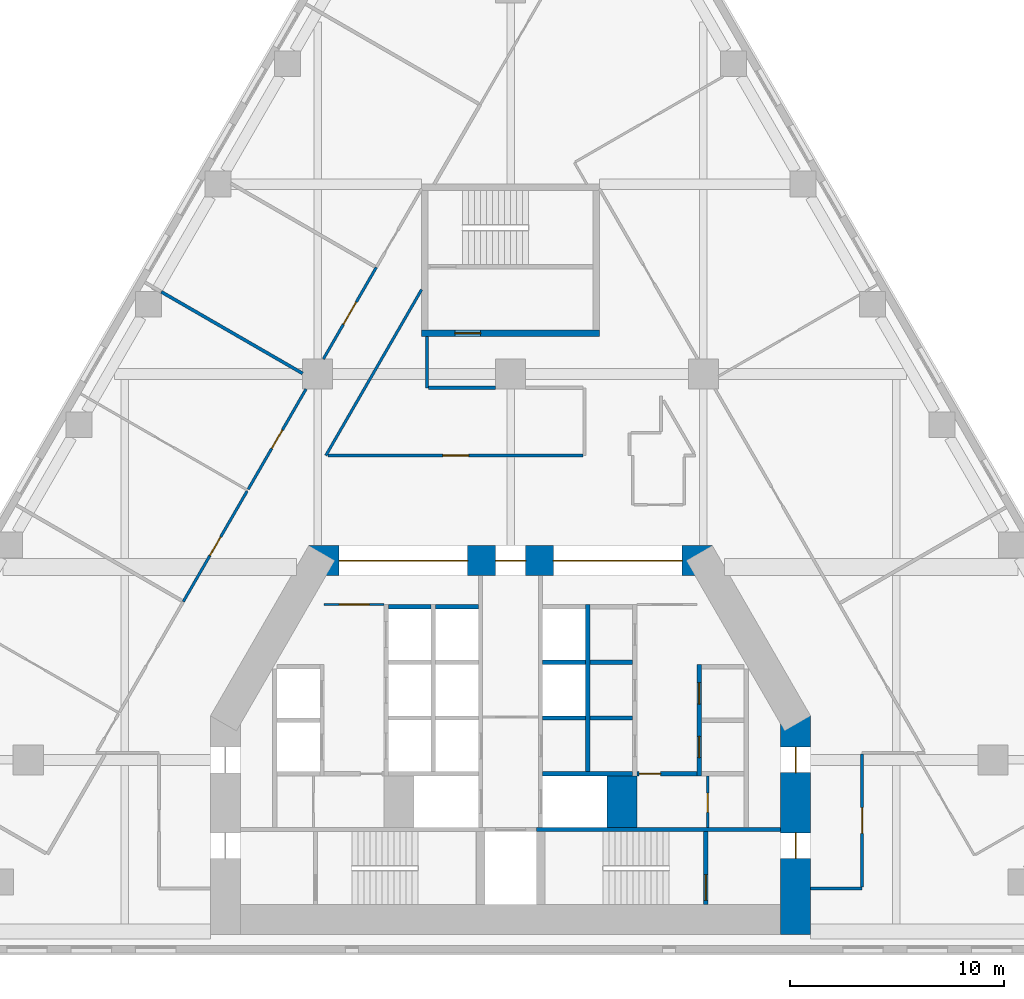
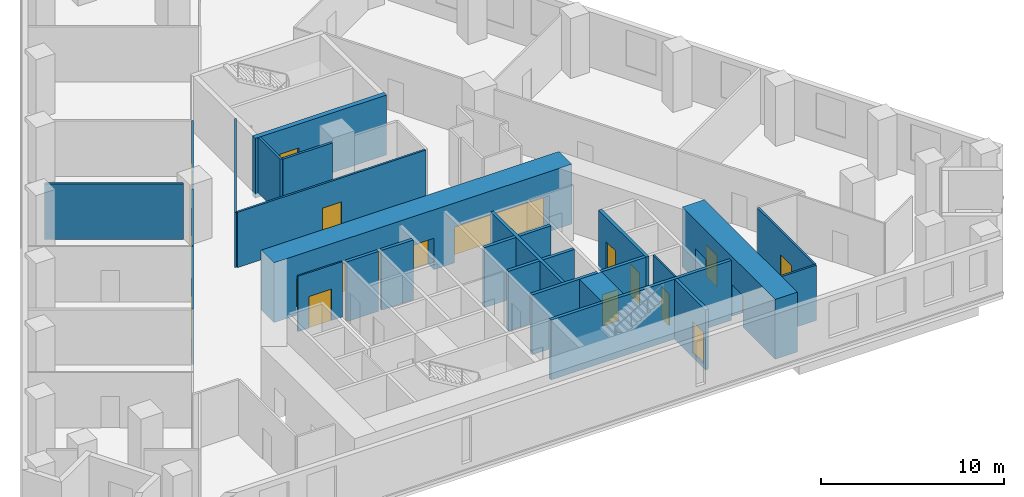
# One storey, part 5 of 9: 28 walls, 17 doors, 17 openings.
"""IFC4 building model written with IfcOpenShell, lengths in metres."""

from ifc_helpers import new_model, si_unit, direction, frame, frame_2d, origin, place, context, subcontext, project, spatial, rectangle, extrude, material, layer, layer_set, type_object, element, fill, save


model = new_model("IFC4")

# Units and contexts
model_context = context("Model", 3, precision=1e-05, world=origin(), true_north=direction((0.0, 1.0)))
body_context = subcontext(model_context, "Body", "Model", "MODEL_VIEW")
ifc_project = project(units=[si_unit("LENGTHUNIT", "METRE"), si_unit("AREAUNIT", "SQUARE_METRE"), si_unit("VOLUMEUNIT", "CUBIC_METRE"), si_unit("PLANEANGLEUNIT", "RADIAN"), si_unit("MASSUNIT", "GRAM", prefix="KILO")], contexts=[model_context])

# Site, building, storey
site_placement = place(None, origin())
site = spatial("IfcSite", under=ifc_project, at=site_placement, CompositionType="ELEMENT")
building_placement = place(site_placement, origin())
building = spatial("IfcBuilding", under=site, at=building_placement, Name="Fogline Exchange Tower", CompositionType="ELEMENT")
storey_placement = place(building_placement, frame((0.0, 0.0, 76.89990234375)))
storey = spatial("IfcBuildingStorey", under=building, at=storey_placement, Name="L16", CompositionType="ELEMENT", Elevation=76.89990234375)

# Wall, opening, door
ifc_material_1 = material(Name="Blockwork partition", Category="masonry")
ifc_layer_1 = layer(ifc_material_1, 0.10009765625)
ifc_layer_set_1 = layer_set([ifc_layer_1], Name="CW10")
wall_type_1 = type_object("IfcWallType", Name="CW10", PredefinedType="PARTITIONING", material=ifc_layer_set_1)
wall_1_placement = place(storey_placement, frame((-8.699951171875, 16.25, 0.0), z_axis=(0.0, 0.0, 1.0), x_axis=(1.0, 0.0, 0.0)))
wall_1 = element("IfcWall", 1, at=wall_1_placement, inside=storey, type_object=wall_type_1, Name="Lift lobby partition", PredefinedType="PARTITIONING", context=body_context, shape_type="SweptSolid", body=[
    extrude(rectangle(XDim=2.800048828125, YDim=0.10009765625, at=frame_2d((1.39990234375, 0.0))), origin(), (0.0, 0.0, 1.0), 3.7001953125),
])
opening_1_placement = place(wall_1_placement, frame((0.699951171875, 0.0, 0.0)))
opening_1 = element("IfcOpeningElement", 2, at=opening_1_placement, cuts=wall_1, Name="Opening T05-C007", PredefinedType="OPENING", context=body_context, shape_type="SweptSolid", body=[
    extrude(rectangle(XDim=1.39990234375, YDim=2.10009765625, at=frame_2d((0.699951171875, 1.050048828125))), frame((0.0, 0.06005859375, 0.0), z_axis=(0.0, -1.0, 0.0), x_axis=(1.0, 0.0, 0.0)), (0.0, 0.0, 1.0), 0.1201171875),
])
ifc_material_2 = material(Name="Steel and timber fire door", Category="steel")
door_type_1 = type_object("IfcDoorType", Name="D-LB1", OperationType="DOUBLE_DOOR_SINGLE_SWING", PredefinedType="DOOR", material=ifc_material_2)
door_1_placement = place(opening_1_placement, origin())
door_1 = element("IfcDoor", 3, at=door_1_placement, inside=storey, type_object=door_type_1, Name="Door to lift lobby", OperationType="DOUBLE_DOOR_SINGLE_SWING", OverallHeight=2.10009765625, OverallWidth=1.39990234375, PredefinedType="DOOR", context=body_context, shape_type="SweptSolid", body=[
    extrude(rectangle(XDim=1.39990234375, YDim=2.10009765625, at=frame_2d((0.699951171875, 1.050048828125))), frame((0.0, 0.02490234375, 0.0), z_axis=(0.0, -1.0, 0.0), x_axis=(1.0, 0.0, 0.0)), (0.0, 0.0, 1.0), 0.050048828125),
])
fill(opening_1, door_1)

wall_2_placement = place(storey_placement, frame((9.199951171875, 5.85009765625, 0.0), z_axis=(0.0, 0.0, 1.0), x_axis=(0.0, 1.0, 0.0)))
wall_2 = element("IfcWall", 4, at=wall_2_placement, inside=storey, type_object=wall_type_1, Name="WC partition", PredefinedType="PARTITIONING", context=body_context, shape_type="SweptSolid", body=[
    extrude(rectangle(XDim=2.39990234375, YDim=0.10009765625, at=frame_2d((1.199951171875, 0.0))), origin(), (0.0, 0.0, 1.0), 3.7001953125),
])
opening_2_placement = place(wall_2_placement, frame((0.699951171875, 0.0, 0.0)))
opening_2 = element("IfcOpeningElement", 5, at=opening_2_placement, cuts=wall_2, Name="Opening T05-C015", PredefinedType="OPENING", context=body_context, shape_type="SweptSolid", body=[
    extrude(rectangle(XDim=0.89990234375, YDim=2.10009765625, at=frame_2d((0.449951171875, 1.050048828125))), frame((0.0, 0.06005859375, 0.0), z_axis=(0.0, -1.0, 0.0), x_axis=(1.0, 0.0, 0.0)), (0.0, 0.0, 1.0), 0.1201171875),
])
door_type_2 = type_object("IfcDoorType", Name="D-CS1", OperationType="SINGLE_SWING_RIGHT", PredefinedType="DOOR", material=ifc_material_2)
door_2_placement = place(opening_2_placement, frame((0.89990234375, 0.0, 0.0), z_axis=(0.0, 0.0, 1.0), x_axis=(-1.0, 0.0, 0.0)))
door_2 = element("IfcDoor", 6, at=door_2_placement, inside=storey, type_object=door_type_2, Name="Door to Cleaner's Store", OperationType="SINGLE_SWING_RIGHT", OverallHeight=2.10009765625, OverallWidth=0.89990234375, PredefinedType="DOOR", context=body_context, shape_type="SweptSolid", body=[
    extrude(rectangle(XDim=0.89990234375, YDim=2.10009765625, at=frame_2d((0.449951171875, 1.050048828125))), frame((0.0, 0.02490234375, 0.0), z_axis=(0.0, -1.0, 0.0), x_axis=(1.0, 0.0, 0.0)), (0.0, 0.0, 1.0), 0.050048828125),
])
fill(opening_2, door_2)

# Wall
ifc_material_3 = material(Name="Concrete C60", Category="concrete")
ifc_layer_2 = layer(ifc_material_3, 1.39990234375)
ifc_layer_set_2 = layer_set([ifc_layer_2], Name="CW140")
wall_type_2 = type_object("IfcWallType", Name="CW140", PredefinedType="SOLIDWALL", material=ifc_layer_set_2)
wall_3_placement = place(storey_placement, frame((5.199951171875, 5.85009765625, -0.2998046875), z_axis=(0.0, 0.0, 1.0), x_axis=(0.0, 1.0, 0.0)))
element("IfcWall", 7, at=wall_3_placement, inside=storey, type_object=wall_type_2, Name="Lift shaft block wall", PredefinedType="SOLIDWALL", context=body_context, shape_type="SweptSolid", body=[
    extrude(rectangle(XDim=2.39990234375, YDim=1.39990234375, at=frame_2d((1.199951171875, 0.0))), origin(), (0.0, 0.0, 1.0), 4.0),
])

# Wall, opening, door
ifc_material_4 = material(Name="Concrete C40", Category="concrete")
ifc_layer_3 = layer(ifc_material_4, 0.199951171875)
ifc_layer_set_3 = layer_set([ifc_layer_3], Name="CW20")
wall_type_3 = type_object("IfcWallType", Name="CW20", PredefinedType="SOLIDWALL", material=ifc_layer_set_3)
wall_4_placement = place(storey_placement, frame((5.89990234375, 8.35009765625, 0.0), z_axis=(0.0, 0.0, 1.0), x_axis=(1.0, 0.0, 0.0)))
wall_4 = element("IfcWall", 8, at=wall_4_placement, inside=storey, type_object=wall_type_3, Name="WC wall", PredefinedType="SOLIDWALL", context=body_context, shape_type="SweptSolid", body=[
    extrude(rectangle(XDim=2.800048828125, YDim=0.199951171875, at=frame_2d((1.39990234375, 0.0))), origin(), (0.0, 0.0, 1.0), 3.7001953125),
])
opening_3_placement = place(wall_4_placement, frame((0.10009765625, 0.0, 0.0)))
opening_3 = element("IfcOpeningElement", 9, at=opening_3_placement, cuts=wall_4, Name="Opening T05-C014", PredefinedType="OPENING", context=body_context, shape_type="SweptSolid", body=[
    extrude(rectangle(XDim=1.0, YDim=2.10009765625, at=frame_2d((0.5, 1.050048828125))), frame((0.0, 0.10986328125, 0.0), z_axis=(0.0, -1.0, 0.0), x_axis=(1.0, 0.0, 0.0)), (0.0, 0.0, 1.0), 0.219970703125),
])
door_type_3 = type_object("IfcDoorType", Name="D-WC1", OperationType="SINGLE_SWING_LEFT", PredefinedType="DOOR", material=ifc_material_2)
door_3_placement = place(opening_3_placement, frame((1.0, 0.0, 0.0), z_axis=(0.0, 0.0, 1.0), x_axis=(-1.0, 0.0, 0.0)))
door_3 = element("IfcDoor", 10, at=door_3_placement, inside=storey, type_object=door_type_3, Name="Door to Women's WC", OperationType="SINGLE_SWING_RIGHT", OverallHeight=2.10009765625, OverallWidth=1.0, PredefinedType="DOOR", context=body_context, shape_type="SweptSolid", body=[
    extrude(rectangle(XDim=1.0, YDim=2.10009765625, at=frame_2d((0.5, 1.050048828125))), frame((0.0, 0.02490234375, 0.0), z_axis=(0.0, -1.0, 0.0), x_axis=(1.0, 0.0, 0.0)), (0.0, 0.0, 1.0), 0.050048828125),
])
fill(opening_3, door_3)

# Wall
ifc_layer_4 = layer(ifc_material_4, 0.199951171875)
ifc_layer_set_4 = layer_set([ifc_layer_4], Name="CW20R")
wall_type_4 = type_object("IfcWallType", Name="CW20R", PredefinedType="SOLIDWALL", material=ifc_layer_set_4)
wall_5_placement = place(storey_placement, frame((1.199951171875, 5.75, -0.2998046875), z_axis=(0.0, 0.0, 1.0), x_axis=(1.0, 0.0, 0.0)))
element("IfcWall", 11, at=wall_5_placement, inside=storey, type_object=wall_type_4, Name="Stair enclosure wall", PredefinedType="SOLIDWALL", context=body_context, shape_type="SweptSolid", body=[
    extrude(rectangle(XDim=11.400146484375, YDim=0.199951171875, at=frame_2d((5.7001953125, 0.0))), origin(), (0.0, 0.0, 1.0), 4.0),
])

# Wall, opening, door
wall_6_placement = place(storey_placement, frame((9.10009765625, 2.25, -0.2998046875), z_axis=(0.0, 0.0, 1.0), x_axis=(0.0, 1.0, 0.0)))
wall_6 = element("IfcWall", 12, at=wall_6_placement, inside=storey, type_object=wall_type_4, Name="Stair enclosure wall", PredefinedType="SOLIDWALL", context=body_context, shape_type="SweptSolid", body=[
    extrude(rectangle(XDim=3.39990234375, YDim=0.199951171875, at=frame_2d((1.699951171875, 0.0))), origin(), (0.0, 0.0, 1.0), 4.0),
])
opening_4_placement = place(wall_6_placement, frame((0.199951171875, 0.0, 0.300048828125)))
opening_4 = element("IfcOpeningElement", 13, at=opening_4_placement, cuts=wall_6, Name="Opening T05-C017", PredefinedType="OPENING", context=body_context, shape_type="SweptSolid", body=[
    extrude(rectangle(XDim=1.199951171875, YDim=2.10009765625, at=frame_2d((0.60009765625, 1.050048828125))), frame((0.0, 0.10986328125, 0.0), z_axis=(0.0, -1.0, 0.0), x_axis=(1.0, 0.0, 0.0)), (0.0, 0.0, 1.0), 0.219970703125),
])
door_type_4 = type_object("IfcDoorType", Name="D-ST1", OperationType="SINGLE_SWING_LEFT", PredefinedType="DOOR", material=ifc_material_2)
door_4_placement = place(opening_4_placement, origin())
door_4 = element("IfcDoor", 14, at=door_4_placement, inside=storey, type_object=door_type_4, Name="Stair door ST2", OperationType="SINGLE_SWING_LEFT", OverallHeight=2.10009765625, OverallWidth=1.199951171875, PredefinedType="DOOR", context=body_context, shape_type="SweptSolid", body=[
    extrude(rectangle(XDim=1.199951171875, YDim=2.10009765625, at=frame_2d((0.60009765625, 1.050048828125))), frame((0.0, 0.02490234375, 0.0), z_axis=(0.0, -1.0, 0.0), x_axis=(1.0, 0.0, 0.0)), (0.0, 0.0, 1.0), 0.050048828125),
])
fill(opening_4, door_4)

# Wall, openings, doors
ifc_layer_5 = layer(ifc_material_4, 0.199951171875)
ifc_layer_set_5 = layer_set([ifc_layer_5], Name="CW20S")
wall_type_5 = type_object("IfcWallType", Name="CW20S", PredefinedType="SOLIDWALL", material=ifc_layer_set_5)
wall_7_placement = place(storey_placement, frame((8.800048828125, 8.25, -0.2998046875), z_axis=(0.0, 0.0, 1.0), x_axis=(0.0, 1.0, 0.0)))
wall_7 = element("IfcWall", 15, at=wall_7_placement, inside=storey, type_object=wall_type_5, Name="Lift shaft wall", PredefinedType="SOLIDWALL", context=body_context, shape_type="SweptSolid", body=[
    extrude(rectangle(XDim=5.199951171875, YDim=0.199951171875, at=frame_2d((2.60009765625, 0.0))), origin(), (0.0, 0.0, 1.0), 4.0),
])
opening_5_placement = place(wall_7_placement, frame((0.85009765625, 0.0, 0.300048828125)))
opening_5 = element("IfcOpeningElement", 16, at=opening_5_placement, cuts=wall_7, Name="Opening T05-C001", PredefinedType="OPENING", context=body_context, shape_type="SweptSolid", body=[
    extrude(rectangle(XDim=1.0, YDim=2.10009765625, at=frame_2d((0.5, 1.050048828125))), frame((0.0, 0.10986328125, 0.0), z_axis=(0.0, -1.0, 0.0), x_axis=(1.0, 0.0, 0.0)), (0.0, 0.0, 1.0), 0.219970703125),
])
opening_6_placement = place(wall_7_placement, frame((3.35009765625, 0.0, 0.300048828125)))
opening_6 = element("IfcOpeningElement", 17, at=opening_6_placement, cuts=wall_7, Name="Opening T05-C002", PredefinedType="OPENING", context=body_context, shape_type="SweptSolid", body=[
    extrude(rectangle(XDim=1.0, YDim=2.10009765625, at=frame_2d((0.5, 1.050048828125))), frame((0.0, 0.10986328125, 0.0), z_axis=(0.0, -1.0, 0.0), x_axis=(1.0, 0.0, 0.0)), (0.0, 0.0, 1.0), 0.219970703125),
])
door_type_5 = type_object("IfcDoorType", Name="D-RM1", OperationType="SINGLE_SWING_LEFT", PredefinedType="DOOR", material=ifc_material_2)
door_5_placement = place(opening_5_placement, frame((1.0, 0.0, 0.0), z_axis=(0.0, 0.0, 1.0), x_axis=(-1.0, 0.0, 0.0)))
door_5 = element("IfcDoor", 18, at=door_5_placement, inside=storey, type_object=door_type_5, Name="Door to Server Room", OperationType="SINGLE_SWING_LEFT", OverallHeight=2.10009765625, OverallWidth=1.0, PredefinedType="DOOR", context=body_context, shape_type="SweptSolid", body=[
    extrude(rectangle(XDim=1.0, YDim=2.10009765625, at=frame_2d((0.5, 1.050048828125))), frame((0.0, 0.02490234375, 0.0), z_axis=(0.0, -1.0, 0.0), x_axis=(1.0, 0.0, 0.0)), (0.0, 0.0, 1.0), 0.050048828125),
])
fill(opening_5, door_5)
door_6_placement = place(opening_6_placement, frame((1.0, 0.0, 0.0), z_axis=(0.0, 0.0, 1.0), x_axis=(-1.0, 0.0, 0.0)))
door_6 = element("IfcDoor", 19, at=door_6_placement, inside=storey, type_object=door_type_5, Name="Door to Archive Store", OperationType="SINGLE_SWING_LEFT", OverallHeight=2.10009765625, OverallWidth=1.0, PredefinedType="DOOR", context=body_context, shape_type="SweptSolid", body=[
    extrude(rectangle(XDim=1.0, YDim=2.10009765625, at=frame_2d((0.5, 1.050048828125))), frame((0.0, 0.02490234375, 0.0), z_axis=(0.0, -1.0, 0.0), x_axis=(1.0, 0.0, 0.0)), (0.0, 0.0, 1.0), 0.050048828125),
])
fill(opening_6, door_6)

# Walls
wall_8_placement = place(storey_placement, frame((3.60009765625, 8.449951171875, -0.2998046875), z_axis=(0.0, 0.0, 1.0), x_axis=(0.0, 1.0, 0.0)))
element("IfcWall", 20, at=wall_8_placement, inside=storey, type_object=wall_type_5, Name="Lift shaft wall", PredefinedType="SOLIDWALL", context=body_context, shape_type="SweptSolid", body=[
    extrude(rectangle(XDim=7.800048828125, YDim=0.199951171875, at=frame_2d((3.89990234375, 0.0))), origin(), (0.0, 0.0, 1.0), 4.0),
])
wall_9_placement = place(storey_placement, frame((1.5, 8.35009765625, -0.2998046875), z_axis=(0.0, 0.0, 1.0), x_axis=(1.0, 0.0, 0.0)))
element("IfcWall", 21, at=wall_9_placement, inside=storey, type_object=wall_type_5, Name="Lift shaft wall", PredefinedType="SOLIDWALL", context=body_context, shape_type="SweptSolid", body=[
    extrude(rectangle(XDim=4.199951171875, YDim=0.199951171875, at=frame_2d((2.10009765625, 0.0))), origin(), (0.0, 0.0, 1.0), 4.0),
])
for number, where, z_axis, x_axis, name in (
    (22, (-5.699951171875, 16.14990234375, -0.2998046875), (0.0, 0.0, 1.0), (1.0, 0.0, 0.0), "Lift shaft wall"),
    (23, (-3.5, 16.14990234375, -0.2998046875), (0.0, 0.0, 1.0), (1.0, 0.0, 0.0), "Lift shaft wall"),
    (24, (3.699951171875, 10.949951171875, -0.2998046875), (0.0, 0.0, 1.0), (1.0, 0.0, 0.0), "Lift shaft wall"),
    (25, (3.699951171875, 13.550048828125, -0.2998046875), (0.0, 0.0, 1.0), (1.0, 0.0, 0.0), "Lift shaft wall"),
    (26, (1.5, 10.949951171875, -0.2998046875), (0.0, 0.0, 1.0), (1.0, 0.0, 0.0), "Lift shaft wall"),
    (27, (1.5, 13.550048828125, -0.2998046875), (0.0, 0.0, 1.0), (1.0, 0.0, 0.0), "Lift shaft wall"),
):
    element("IfcWall", number, at=place(storey_placement, frame(where, z_axis=z_axis, x_axis=x_axis)), inside=storey, type_object=wall_type_5, Name=name, PredefinedType="SOLIDWALL", context=body_context, shape_type="SweptSolid", body=[
        extrude(rectangle(XDim=2.0, YDim=0.199951171875, at=frame_2d((1.0, 0.0))), origin(), (0.0, 0.0, 1.0), 4.0),
    ])

# Wall, opening, door
ifc_layer_6 = layer(ifc_material_4, 0.300048828125)
ifc_layer_set_6 = layer_set([ifc_layer_6], Name="CW30")
wall_type_6 = type_object("IfcWallType", Name="CW30", PredefinedType="SOLIDWALL", material=ifc_layer_set_6)
wall_10_placement = place(storey_placement, frame((-4.14990234375, 28.906982421875, -0.2998046875), z_axis=(0.0, 0.0, 1.0), x_axis=(1.0, 0.0, 0.0)))
wall_10 = element("IfcWall", 28, at=wall_10_placement, inside=storey, type_object=wall_type_6, Name="Stair enclosure wall ST3", PredefinedType="SOLIDWALL", context=body_context, shape_type="SweptSolid", body=[
    extrude(rectangle(XDim=8.2998046875, YDim=0.300048828125, at=frame_2d((4.14990234375, 0.0))), origin(), (0.0, 0.0, 1.0), 4.0),
])
opening_7_placement = place(wall_10_placement, frame((1.550048828125, 0.0, 0.300048828125)))
opening_7 = element("IfcOpeningElement", 29, at=opening_7_placement, cuts=wall_10, Name="Opening T05-C023", PredefinedType="OPENING", context=body_context, shape_type="SweptSolid", body=[
    extrude(rectangle(XDim=1.199951171875, YDim=2.10009765625, at=frame_2d((0.60009765625, 1.050048828125))), frame((0.0, 0.16015625, 0.0), z_axis=(0.0, -1.0, 0.0), x_axis=(1.0, 0.0, 0.0)), (0.0, 0.0, 1.0), 0.320068359375),
])
door_type_6 = type_object("IfcDoorType", Name="D-FR1", OperationType="SINGLE_SWING_RIGHT", PredefinedType="DOOR", material=ifc_material_2)
door_7_placement = place(opening_7_placement, origin())
door_7 = element("IfcDoor", 30, at=door_7_placement, inside=storey, type_object=door_type_6, Name="Front room door ST3", OperationType="SINGLE_SWING_LEFT", OverallHeight=2.10009765625, OverallWidth=1.199951171875, PredefinedType="DOOR", context=body_context, shape_type="SweptSolid", body=[
    extrude(rectangle(XDim=1.199951171875, YDim=2.10009765625, at=frame_2d((0.60009765625, 1.050048828125))), frame((0.0, 0.02490234375, 0.0), z_axis=(0.0, -1.0, 0.0), x_axis=(1.0, 0.0, 0.0)), (0.0, 0.0, 1.0), 0.050048828125),
])
fill(opening_7, door_7)

ifc_material_5 = material(Name="Plasterboard corridor partition with mineral wool, 2 layers each side")
ifc_layer_7 = layer(ifc_material_5, 0.125)
ifc_layer_set_7 = layer_set([ifc_layer_7], Name="PW2")
wall_type_7 = type_object("IfcWallType", Name="PW2", PredefinedType="PARTITIONING", material=ifc_layer_set_7)
wall_11_placement = place(storey_placement, frame((16.39990234375, 9.277587890625, 0.0), z_axis=(0.0, 0.0, 1.0), x_axis=(0.0, -1.0, 0.0)))
wall_11 = element("IfcWall", 31, at=wall_11_placement, inside=storey, type_object=wall_type_7, Name="wall-L16-W001", PredefinedType="PARTITIONING", context=body_context, shape_type="SweptSolid", body=[
    extrude(rectangle(XDim=6.215087890625, YDim=0.125, at=frame_2d((3.107421875, 0.0))), origin(), (0.0, 0.0, 1.0), 3.7001953125),
])
opening_8_placement = place(wall_11_placement, frame((2.507568359375, 0.0, 0.0)))
opening_8 = element("IfcOpeningElement", 32, at=opening_8_placement, cuts=wall_11, Name="Opening T05-D001", PredefinedType="OPENING", context=body_context, shape_type="SweptSolid", body=[
    extrude(rectangle(XDim=1.199951171875, YDim=2.10009765625, at=frame_2d((0.60009765625, 1.050048828125))), frame((0.0, 0.072509765625, 0.0), z_axis=(0.0, -1.0, 0.0), x_axis=(1.0, 0.0, 0.0)), (0.0, 0.0, 1.0), 0.14501953125),
])
ifc_material_6 = material(Name="Fire-rated glazed door leaf with steel frame", Category="steel")
door_type_7 = type_object("IfcDoorType", Name="D5", OperationType="SINGLE_SWING_LEFT", PredefinedType="DOOR", material=ifc_material_6)
door_8_placement = place(opening_8_placement, origin())
door_8 = element("IfcDoor", 33, at=door_8_placement, inside=storey, type_object=door_type_7, Name="door-L16-D001", OperationType="SINGLE_SWING_LEFT", OverallHeight=2.10009765625, OverallWidth=1.199951171875, PredefinedType="DOOR", context=body_context, shape_type="SweptSolid", body=[
    extrude(rectangle(XDim=1.199951171875, YDim=2.10009765625, at=frame_2d((0.60009765625, 1.050048828125))), frame((0.0, 0.02490234375, 0.0), z_axis=(0.0, -1.0, 0.0), x_axis=(1.0, 0.0, 0.0)), (0.0, 0.0, 1.0), 0.050048828125),
])
fill(opening_8, door_8)

# Wall
wall_12_placement = place(storey_placement, frame((16.39990234375, 3.0, 0.0), z_axis=(0.0, 0.0, 1.0), x_axis=(-1.0, 0.0, 0.0)))
element("IfcWall", 34, at=wall_12_placement, inside=storey, type_object=wall_type_7, Name="wall-L16-W002", PredefinedType="PARTITIONING", context=body_context, shape_type="SweptSolid", body=[
    extrude(rectangle(XDim=2.39990234375, YDim=0.125, at=frame_2d((1.199951171875, 0.0))), origin(), (0.0, 0.0, 1.0), 3.7001953125),
])

# Wall, opening, door
wall_13_placement = place(storey_placement, frame((-8.5087890625, 23.199951171875, 0.0), z_axis=(0.0, 0.0, 1.0), x_axis=(1.0, 0.0, 0.0)))
wall_13 = element("IfcWall", 35, at=wall_13_placement, inside=storey, type_object=wall_type_7, Name="wall-L16-W007", PredefinedType="PARTITIONING", context=body_context, shape_type="SweptSolid", body=[
    extrude(rectangle(XDim=11.896240234375, YDim=0.125, at=frame_2d((5.9482421875, 0.0))), origin(), (0.0, 0.0, 1.0), 3.7001953125),
])
opening_9_placement = place(wall_13_placement, frame((5.34814453125, 0.0, 0.0)))
opening_9 = element("IfcOpeningElement", 36, at=opening_9_placement, cuts=wall_13, Name="Opening T05-D003", PredefinedType="OPENING", context=body_context, shape_type="SweptSolid", body=[
    extrude(rectangle(XDim=1.199951171875, YDim=2.10009765625, at=frame_2d((0.60009765625, 1.050048828125))), frame((0.0, 0.072509765625, 0.0), z_axis=(0.0, -1.0, 0.0), x_axis=(1.0, 0.0, 0.0)), (0.0, 0.0, 1.0), 0.14501953125),
])
door_9_placement = place(opening_9_placement, origin())
door_9 = element("IfcDoor", 37, at=door_9_placement, inside=storey, type_object=door_type_7, Name="door-L16-D003", OperationType="SINGLE_SWING_RIGHT", OverallHeight=2.10009765625, OverallWidth=1.199951171875, PredefinedType="DOOR", context=body_context, shape_type="SweptSolid", body=[
    extrude(rectangle(XDim=1.199951171875, YDim=2.10009765625, at=frame_2d((0.60009765625, 1.050048828125))), frame((0.0, 0.02490234375, 0.0), z_axis=(0.0, -1.0, 0.0), x_axis=(1.0, 0.0, 0.0)), (0.0, 0.0, 1.0), 0.050048828125),
])
fill(opening_9, door_9)

# Wall
wall_14_placement = place(storey_placement, frame((-4.14990234375, 30.93798828125, 0.0), z_axis=(0.0, 0.0, 1.0), x_axis=(-0.499997606806, -0.866026785491, 0.0)))
element("IfcWall", 38, at=wall_14_placement, inside=storey, type_object=wall_type_7, Name="wall-L16-W011", PredefinedType="PARTITIONING", context=body_context, shape_type="SweptSolid", body=[
    extrude(rectangle(XDim=8.93505859375, YDim=0.125, at=frame_2d((4.467529296875, 0.0))), origin(), (0.0, 0.0, 1.0), 3.7001953125),
])

# Wall, opening, door
wall_15_placement = place(storey_placement, frame((-8.73291015625, 27.699951171875, 0.0), z_axis=(0.0, 0.0, 1.0), x_axis=(0.499996519298, 0.86602741336, 0.0)))
wall_15 = element("IfcWall", 39, at=wall_15_placement, inside=storey, type_object=wall_type_7, Name="wall-L16-W012", PredefinedType="PARTITIONING", context=body_context, shape_type="SweptSolid", body=[
    extrude(rectangle(XDim=4.93505859375, YDim=0.125, at=frame_2d((2.467529296875, 0.0))), origin(), (0.0, 0.0, 1.0), 3.7001953125),
])
opening_10_placement = place(wall_15_placement, frame((1.867431640625, 0.0, 0.0)))
opening_10 = element("IfcOpeningElement", 40, at=opening_10_placement, cuts=wall_15, Name="Opening T05-D006", PredefinedType="OPENING", context=body_context, shape_type="SweptSolid", body=[
    extrude(rectangle(XDim=1.199951171875, YDim=2.10009765625, at=frame_2d((0.60009765625, 1.050048828125))), frame((0.0, 0.072509765625, 0.0), z_axis=(0.0, -1.0, 0.0), x_axis=(1.0, 0.0, 0.0)), (0.0, 0.0, 1.0), 0.14501953125),
])
door_10_placement = place(opening_10_placement, origin())
door_10 = element("IfcDoor", 41, at=door_10_placement, inside=storey, type_object=door_type_7, Name="door-L16-D006", OperationType="SINGLE_SWING_RIGHT", OverallHeight=2.10009765625, OverallWidth=1.199951171875, PredefinedType="DOOR", context=body_context, shape_type="SweptSolid", body=[
    extrude(rectangle(XDim=1.199951171875, YDim=2.10009765625, at=frame_2d((0.60009765625, 1.050048828125))), frame((0.0, 0.02490234375, 0.0), z_axis=(0.0, -1.0, 0.0), x_axis=(1.0, 0.0, 0.0)), (0.0, 0.0, 1.0), 0.050048828125),
])
fill(opening_10, door_10)

wall_16_placement = place(storey_placement, frame((-12.239990234375, 21.625244140625, 0.0), z_axis=(0.0, 0.0, 1.0), x_axis=(0.499962585297, 0.866047004096, 0.0)))
wall_16 = element("IfcWall", 42, at=wall_16_placement, inside=storey, type_object=wall_type_7, Name="wall-L16-W013", PredefinedType="PARTITIONING", context=body_context, shape_type="SweptSolid", body=[
    extrude(rectangle(XDim=5.39794921875, YDim=0.125, at=frame_2d((2.698974609375, 0.0))), origin(), (0.0, 0.0, 1.0), 3.7001953125),
])
opening_11_placement = place(wall_16_placement, frame((2.198974609375, 0.0, 0.0)))
opening_11 = element("IfcOpeningElement", 43, at=opening_11_placement, cuts=wall_16, Name="Opening T05-D007", PredefinedType="OPENING", context=body_context, shape_type="SweptSolid", body=[
    extrude(rectangle(XDim=1.0, YDim=2.10009765625, at=frame_2d((0.5, 1.050048828125))), frame((0.0, 0.072509765625, 0.0), z_axis=(0.0, -1.0, 0.0), x_axis=(1.0, 0.0, 0.0)), (0.0, 0.0, 1.0), 0.14501953125),
])
ifc_material_7 = material(Name="Fire-rated timber door leaf with steel frame", Category="steel")
door_type_8 = type_object("IfcDoorType", Name="D3", OperationType="SINGLE_SWING_LEFT", PredefinedType="DOOR", material=ifc_material_7)
door_11_placement = place(opening_11_placement, origin())
door_11 = element("IfcDoor", 44, at=door_11_placement, inside=storey, type_object=door_type_8, Name="door-L16-D007", OperationType="SINGLE_SWING_LEFT", OverallHeight=2.10009765625, OverallWidth=1.0, PredefinedType="DOOR", context=body_context, shape_type="SweptSolid", body=[
    extrude(rectangle(XDim=1.0, YDim=2.10009765625, at=frame_2d((0.5, 1.050048828125))), frame((0.0, 0.02490234375, 0.0), z_axis=(0.0, -1.0, 0.0), x_axis=(1.0, 0.0, 0.0)), (0.0, 0.0, 1.0), 0.050048828125),
])
fill(opening_11, door_11)

wall_17_placement = place(storey_placement, frame((-15.265380859375, 16.385498046875, 0.0), z_axis=(0.0, 0.0, 1.0), x_axis=(0.500018463402, 0.866014743672, 0.0)))
wall_17 = element("IfcWall", 45, at=wall_17_placement, inside=storey, type_object=wall_type_7, Name="wall-L16-W014", PredefinedType="PARTITIONING", context=body_context, shape_type="SweptSolid", body=[
    extrude(rectangle(XDim=5.949462890625, YDim=0.125, at=frame_2d((2.974609375, 0.0))), origin(), (0.0, 0.0, 1.0), 3.7001953125),
])
opening_12_placement = place(wall_17_placement, frame((2.474853515625, 0.0, 0.0)))
opening_12 = element("IfcOpeningElement", 46, at=opening_12_placement, cuts=wall_17, Name="Opening T05-D008", PredefinedType="OPENING", context=body_context, shape_type="SweptSolid", body=[
    extrude(rectangle(XDim=1.0, YDim=2.10009765625, at=frame_2d((0.5, 1.050048828125))), frame((0.0, 0.072509765625, 0.0), z_axis=(0.0, -1.0, 0.0), x_axis=(1.0, 0.0, 0.0)), (0.0, 0.0, 1.0), 0.14501953125),
])
door_12_placement = place(opening_12_placement, origin())
door_12 = element("IfcDoor", 47, at=door_12_placement, inside=storey, type_object=door_type_8, Name="door-L16-D008", OperationType="SINGLE_SWING_RIGHT", OverallHeight=2.10009765625, OverallWidth=1.0, PredefinedType="DOOR", context=body_context, shape_type="SweptSolid", body=[
    extrude(rectangle(XDim=1.0, YDim=2.10009765625, at=frame_2d((0.5, 1.050048828125))), frame((0.0, 0.02490234375, 0.0), z_axis=(0.0, -1.0, 0.0), x_axis=(1.0, 0.0, 0.0)), (0.0, 0.0, 1.0), 0.050048828125),
])
fill(opening_12, door_12)

# Walls
ifc_material_8 = material(Name="Plasterboard demising partition with mineral wool and acoustic board")
ifc_layer_8 = layer(ifc_material_8, 0.14990234375)
ifc_layer_set_8 = layer_set([ifc_layer_8], Name="PW3")
wall_type_8 = type_object("IfcWallType", Name="PW3", PredefinedType="PARTITIONING", material=ifc_layer_set_8)
wall_18_placement = place(storey_placement, frame((-9.699951171875, 27.028564453125, 0.0), z_axis=(0.0, 0.0, 1.0), x_axis=(-0.866021009999, 0.500007610182, 0.0)))
element("IfcWall", 48, at=wall_18_placement, inside=storey, type_object=wall_type_8, Name="wall-L16-W042", PredefinedType="PARTITIONING", context=body_context, shape_type="SweptSolid", body=[
    extrude(rectangle(XDim=7.60888671875, YDim=0.14990234375, at=frame_2d((3.804443359375, 0.0))), origin(), (0.0, 0.0, 1.0), 3.7001953125),
])
ifc_material_9 = material(Name="Plasterboard stair lobby partition, 3 layers each side on steel studs", Category="steel")
ifc_layer_9 = layer(ifc_material_9, 0.14990234375)
ifc_layer_set_9 = layer_set([ifc_layer_9], Name="PW4")
wall_type_9 = type_object("IfcWallType", Name="PW4", PredefinedType="PARTITIONING", material=ifc_layer_set_9)
wall_19_placement = place(storey_placement, frame((-0.699951171875, 26.35693359375, 0.0), z_axis=(0.0, 0.0, 1.0), x_axis=(-1.0, 0.0, 0.0)))
element("IfcWall", 49, at=wall_19_placement, inside=storey, type_object=wall_type_9, Name="wall-L16-W020", PredefinedType="PARTITIONING", context=body_context, shape_type="SweptSolid", body=[
    extrude(rectangle(XDim=3.125, YDim=0.14990234375, at=frame_2d((1.5625, 0.0))), origin(), (0.0, 0.0, 1.0), 3.7001953125),
])
wall_20_placement = place(storey_placement, frame((-3.89990234375, 26.35693359375, 0.0), z_axis=(0.0, 0.0, 1.0), x_axis=(0.0, 1.0, 0.0)))
element("IfcWall", 50, at=wall_20_placement, inside=storey, type_object=wall_type_9, Name="wall-L16-W021", PredefinedType="PARTITIONING", context=body_context, shape_type="SweptSolid", body=[
    extrude(rectangle(XDim=2.400146484375, YDim=0.14990234375, at=frame_2d((1.2001953125, 0.0))), origin(), (0.0, 0.0, 1.0), 3.7001953125),
])

# Wall, openings, doors
ifc_layer_10 = layer(ifc_material_3, 1.39990234375)
ifc_layer_set_10 = layer_set([ifc_layer_10], Name="SW01")
wall_type_10 = type_object("IfcWallType", Name="SW01", PredefinedType="SHEAR", material=ifc_layer_set_10)
wall_21_placement = place(storey_placement, frame((13.300048828125, 0.85009765625, 0.0), z_axis=(0.0, 0.0, 1.0), x_axis=(0.0, 1.0, 0.0)))
wall_21 = element("IfcWall", 51, at=wall_21_placement, inside=storey, type_object=wall_type_10, Name="L16-W902", PredefinedType="SHEAR", context=body_context, shape_type="SweptSolid", body=[
    extrude(rectangle(XDim=10.202392578125, YDim=1.39990234375, at=frame_2d((5.10107421875, 0.0))), origin(), (0.0, 0.0, 1.0), 4.0),
])
opening_13_placement = place(wall_21_placement, frame((3.550048828125, 0.0, 0.0)))
opening_13 = element("IfcOpeningElement", 52, at=opening_13_placement, cuts=wall_21, Name="Opening T05-C016", PredefinedType="OPENING", context=body_context, shape_type="SweptSolid", body=[
    extrude(rectangle(XDim=1.199951171875, YDim=2.10009765625, at=frame_2d((0.60009765625, 1.050048828125))), frame((0.0, 0.7099609375, 0.0), z_axis=(0.0, -1.0, 0.0), x_axis=(1.0, 0.0, 0.0)), (0.0, 0.0, 1.0), 1.419921875),
])
opening_14_placement = place(wall_21_placement, frame((7.550048828125, 0.0, 0.0)))
opening_14 = element("IfcOpeningElement", 53, at=opening_14_placement, cuts=wall_21, Name="Opening T05-C018", PredefinedType="OPENING", context=body_context, shape_type="SweptSolid", body=[
    extrude(rectangle(XDim=1.199951171875, YDim=2.10009765625, at=frame_2d((0.60009765625, 1.050048828125))), frame((0.0, 0.7099609375, 0.0), z_axis=(0.0, -1.0, 0.0), x_axis=(1.0, 0.0, 0.0)), (0.0, 0.0, 1.0), 1.419921875),
])
door_13_placement = place(opening_13_placement, origin())
door_13 = element("IfcDoor", 54, at=door_13_placement, inside=storey, type_object=door_type_6, Name="Front room door ST2", OperationType="SINGLE_SWING_RIGHT", OverallHeight=2.10009765625, OverallWidth=1.199951171875, PredefinedType="DOOR", context=body_context, shape_type="SweptSolid", body=[
    extrude(rectangle(XDim=1.199951171875, YDim=2.10009765625, at=frame_2d((0.60009765625, 1.050048828125))), frame((0.0, 0.02490234375, 0.0), z_axis=(0.0, -1.0, 0.0), x_axis=(1.0, 0.0, 0.0)), (0.0, 0.0, 1.0), 0.050048828125),
])
fill(opening_13, door_13)
door_type_9 = type_object("IfcDoorType", Name="D-SV1", OperationType="SINGLE_SWING_LEFT", PredefinedType="DOOR", material=ifc_material_2)
door_14_placement = place(opening_14_placement, origin())
door_14 = element("IfcDoor", 55, at=door_14_placement, inside=storey, type_object=door_type_9, Name="Service door E", OperationType="SINGLE_SWING_RIGHT", OverallHeight=2.10009765625, OverallWidth=1.199951171875, PredefinedType="DOOR", context=body_context, shape_type="SweptSolid", body=[
    extrude(rectangle(XDim=1.199951171875, YDim=2.10009765625, at=frame_2d((0.60009765625, 1.050048828125))), frame((0.0, 0.02490234375, 0.0), z_axis=(0.0, -1.0, 0.0), x_axis=(1.0, 0.0, 0.0)), (0.0, 0.0, 1.0), 0.050048828125),
])
fill(opening_14, door_14)

wall_22_placement = place(storey_placement, frame((9.41162109375, 18.300048828125, 0.0), z_axis=(0.0, 0.0, 1.0), x_axis=(-1.0, 0.0, 0.0)))
wall_22 = element("IfcWall", 56, at=wall_22_placement, inside=storey, type_object=wall_type_10, Name="L16-W904", PredefinedType="SHEAR", context=body_context, shape_type="SweptSolid", body=[
    extrude(rectangle(XDim=18.8232421875, YDim=1.39990234375, at=frame_2d((9.41162109375, 0.0))), origin(), (0.0, 0.0, 1.0), 4.0),
])
opening_15_placement = place(wall_22_placement, frame((8.71142578125, 0.0, 0.0)))
opening_15 = element("IfcOpeningElement", 57, at=opening_15_placement, cuts=wall_22, Name="Opening T05-C020", PredefinedType="OPENING", context=body_context, shape_type="SweptSolid", body=[
    extrude(rectangle(XDim=1.39990234375, YDim=2.10009765625, at=frame_2d((0.699951171875, 1.050048828125))), frame((0.0, 0.7099609375, 0.0), z_axis=(0.0, -1.0, 0.0), x_axis=(1.0, 0.0, 0.0)), (0.0, 0.0, 1.0), 1.419921875),
])
opening_16_placement = place(wall_22_placement, frame((11.41162109375, 0.0, 0.0)))
opening_16 = element("IfcOpeningElement", 58, at=opening_16_placement, cuts=wall_22, Name="Opening T05-C021", PredefinedType="OPENING", context=body_context, shape_type="SweptSolid", body=[
    extrude(rectangle(XDim=6.0, YDim=2.39990234375, at=frame_2d((3.0, 1.199951171875))), frame((0.0, 0.7099609375, 0.0), z_axis=(0.0, -1.0, 0.0), x_axis=(1.0, 0.0, 0.0)), (0.0, 0.0, 1.0), 1.419921875),
])
opening_17_placement = place(wall_22_placement, frame((1.41162109375, 0.0, 0.0)))
opening_17 = element("IfcOpeningElement", 59, at=opening_17_placement, cuts=wall_22, Name="Opening T05-C022", PredefinedType="OPENING", context=body_context, shape_type="SweptSolid", body=[
    extrude(rectangle(XDim=6.0, YDim=2.39990234375, at=frame_2d((3.0, 1.199951171875))), frame((0.0, 0.7099609375, 0.0), z_axis=(0.0, -1.0, 0.0), x_axis=(1.0, 0.0, 0.0)), (0.0, 0.0, 1.0), 1.419921875),
])
door_15_placement = place(opening_15_placement, origin())
door_15 = element("IfcDoor", 60, at=door_15_placement, inside=storey, type_object=door_type_1, Name="Protected lobby door", OperationType="DOUBLE_DOOR_SINGLE_SWING", OverallHeight=2.10009765625, OverallWidth=1.39990234375, PredefinedType="DOOR", context=body_context, shape_type="SweptSolid", body=[
    extrude(rectangle(XDim=1.39990234375, YDim=2.10009765625, at=frame_2d((0.699951171875, 1.050048828125))), frame((0.0, 0.02490234375, 0.0), z_axis=(0.0, -1.0, 0.0), x_axis=(1.0, 0.0, 0.0)), (0.0, 0.0, 1.0), 0.050048828125),
])
fill(opening_15, door_15)
door_type_10 = type_object("IfcDoorType", Name="D-LE1", OperationType="DOUBLE_DOOR_SLIDING", PredefinedType="DOOR", material=ifc_material_2)
door_16_placement = place(opening_16_placement, origin())
door_16 = element("IfcDoor", 61, at=door_16_placement, inside=storey, type_object=door_type_10, Name="Lift lobby entrance west", OperationType="DOUBLE_DOOR_SLIDING", OverallHeight=2.39990234375, OverallWidth=6.0, PredefinedType="DOOR", context=body_context, shape_type="SweptSolid", body=[
    extrude(rectangle(XDim=6.0, YDim=2.39990234375, at=frame_2d((3.0, 1.199951171875))), frame((0.0, 0.02490234375, 0.0), z_axis=(0.0, -1.0, 0.0), x_axis=(1.0, 0.0, 0.0)), (0.0, 0.0, 1.0), 0.050048828125),
])
fill(opening_16, door_16)
door_17_placement = place(opening_17_placement, origin())
door_17 = element("IfcDoor", 62, at=door_17_placement, inside=storey, type_object=door_type_10, Name="Lift lobby entrance east", OperationType="DOUBLE_DOOR_SLIDING", OverallHeight=2.39990234375, OverallWidth=6.0, PredefinedType="DOOR", context=body_context, shape_type="SweptSolid", body=[
    extrude(rectangle(XDim=6.0, YDim=2.39990234375, at=frame_2d((3.0, 1.199951171875))), frame((0.0, 0.02490234375, 0.0), z_axis=(0.0, -1.0, 0.0), x_axis=(1.0, 0.0, 0.0)), (0.0, 0.0, 1.0), 0.050048828125),
])
fill(opening_17, door_17)

save(model, "model.ifc")
